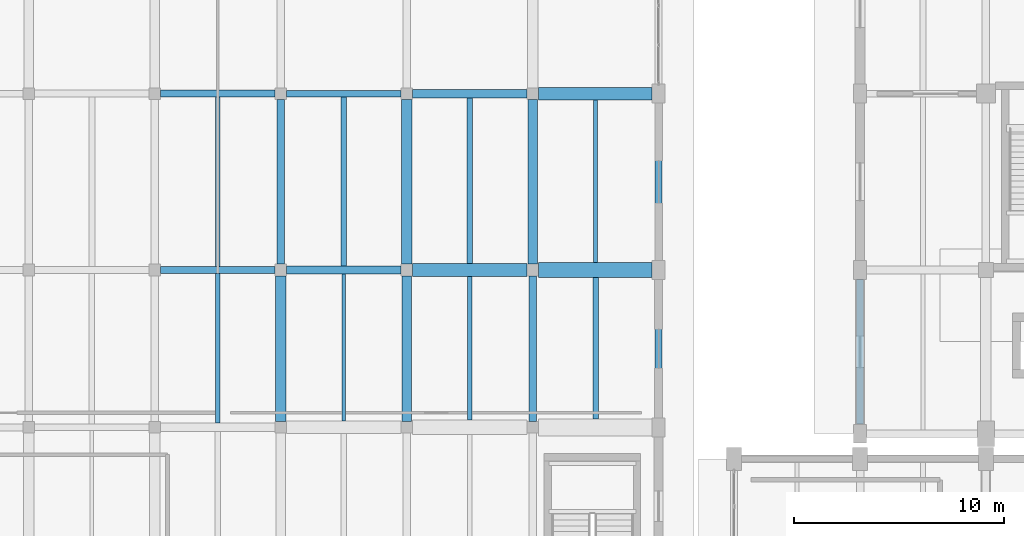
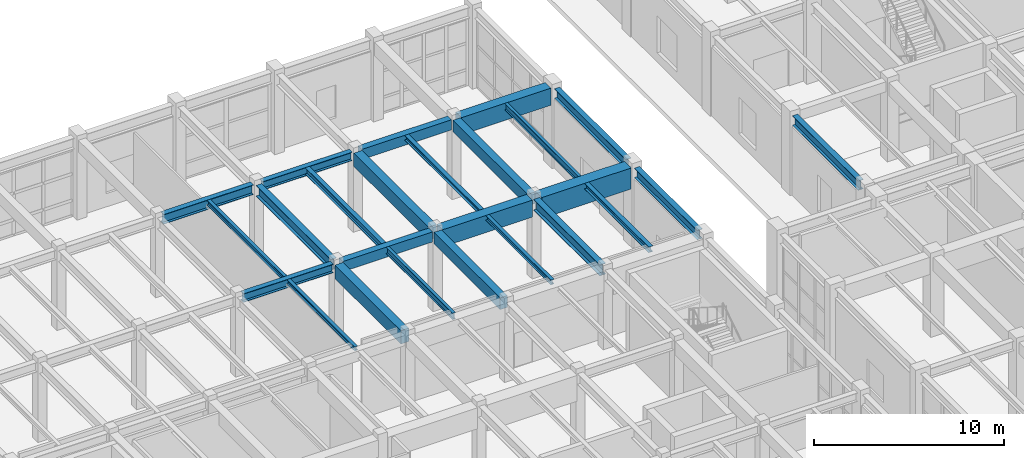
# One storey, part 37 of 91: 25 beams.
"""IFC4 building model written with IfcOpenShell, lengths in metres."""

from ifc_helpers import new_model, si_unit, direction, frame, origin, origin_2d, place, context, subcontext, project, spatial, rectangle, i_section, extrude, material, material_profile, profile_set, type_object, element, save


model = new_model("IFC4")

# Units and contexts
model_context = context("Model", 3, precision=1e-05, world=origin(), true_north=direction((0.0, 1.0)))
body_context = subcontext(model_context, "Body", "Model", "MODEL_VIEW")
ifc_project = project(units=[si_unit("LENGTHUNIT", "METRE"), si_unit("AREAUNIT", "SQUARE_METRE"), si_unit("VOLUMEUNIT", "CUBIC_METRE"), si_unit("PLANEANGLEUNIT", "RADIAN"), si_unit("MASSUNIT", "GRAM", prefix="KILO")], contexts=[model_context])

# Site, building, storey
site_placement = place(None, origin())
site = spatial("IfcSite", under=ifc_project, at=site_placement, CompositionType="ELEMENT")
building_placement = place(site_placement, origin())
building = spatial("IfcBuilding", under=site, at=building_placement, Name="Vaelkrest Opera House", CompositionType="ELEMENT")
storey_placement = place(building_placement, origin())
storey = spatial("IfcBuildingStorey", under=building, at=storey_placement, Name="L00", CompositionType="ELEMENT", Elevation=0.0)

# Beams
ifc_material_1 = material(Name="Concrete C50/60", Category="concrete")
ifc_material_profile_1 = material_profile(ifc_material_1, rectangle(XDim=0.39990234375, YDim=0.64990234375, at=origin_2d()), Name="RCB400X650")
ifc_profile_set_1 = profile_set([ifc_material_profile_1], Name="Concrete C50/60")
beam_type_1 = type_object("IfcBeamType", Name="B01", PredefinedType="BEAM", material=ifc_profile_set_1)
for number, where, z_axis, x_axis, name in (
    (1, (-51.324951171875, 25.199951171875, 4.7548828125), (1.0, 0.0, 0.0), (0.0, 1.0, 0.0), "Beam BM-V3-L00-1413"),
    (2, (-45.324951171875, 33.60009765625, 4.7548828125), (1.0, 0.0, 0.0), (0.0, 1.0, 0.0), "Beam BM-V3-L00-1421"),
):
    element("IfcBeam", number, at=place(storey_placement, frame(where, z_axis=z_axis, x_axis=x_axis)), inside=storey, type_object=beam_type_1, Name=name, PredefinedType="BEAM", context=body_context, shape_type="SweptSolid", body=[
        extrude(rectangle(XDim=0.39990234375, YDim=0.64990234375, at=origin_2d()), origin(), (0.0, 0.0, 1.0), 5.449951171875),
    ])
ifc_material_profile_2 = material_profile(ifc_material_1, rectangle(XDim=0.449951171875, YDim=0.75, at=origin_2d()), Name="RCB450X750")
ifc_profile_set_2 = profile_set([ifc_material_profile_2], Name="Concrete C50/60")
beam_type_2 = type_object("IfcBeamType", Name="B02", PredefinedType="BEAM", material=ifc_profile_set_2)
beam_1_placement = place(storey_placement, frame((-45.60009765625, 17.97509765625, 4.705078125), z_axis=(0.0, 1.0, 0.0), x_axis=(-1.0, 0.0, 0.0)))
element("IfcBeam", 3, at=beam_1_placement, inside=storey, type_object=beam_type_2, Name="Beam BM-V3-L00-1463", PredefinedType="BEAM", context=body_context, shape_type="SweptSolid", body=[
    extrude(rectangle(XDim=0.449951171875, YDim=0.75, at=origin_2d()), origin(), (0.0, 0.0, 1.0), 6.949951171875),
])
beam_2_placement = place(storey_placement, frame((-39.60009765625, 25.47509765625, 4.705078125), z_axis=(0.0, 1.0, 0.0), x_axis=(-1.0, 0.0, 0.0)))
element("IfcBeam", 4, at=beam_2_placement, inside=storey, type_object=beam_type_2, Name="Beam BM-V3-L00-1471", PredefinedType="BEAM", context=body_context, shape_type="SweptSolid", body=[
    extrude(rectangle(XDim=0.449951171875, YDim=0.75, at=origin_2d()), origin(), (0.0, 0.0, 1.0), 7.849853515625),
])
ifc_material_profile_3 = material_profile(ifc_material_1, rectangle(XDim=0.5, YDim=0.85009765625, at=origin_2d()), Name="RCB500X850")
ifc_profile_set_3 = profile_set([ifc_material_profile_3], Name="Concrete C50/60")
beam_type_3 = type_object("IfcBeamType", Name="B03", PredefinedType="BEAM", material=ifc_profile_set_3)
beam_3_placement = place(storey_placement, frame((-51.60009765625, 17.97509765625, 4.655029296875), z_axis=(0.0, 1.0, 0.0), x_axis=(-1.0, 0.0, 0.0)))
element("IfcBeam", 5, at=beam_3_placement, inside=storey, type_object=beam_type_3, Name="Beam BM-V3-L00-1456", PredefinedType="BEAM", context=body_context, shape_type="SweptSolid", body=[
    extrude(rectangle(XDim=0.5, YDim=0.85009765625, at=origin_2d()), origin(), (0.0, 0.0, 1.0), 6.949951171875),
])
beam_4_placement = place(storey_placement, frame((-45.60009765625, 25.47509765625, 4.655029296875), z_axis=(0.0, 1.0, 0.0), x_axis=(-1.0, 0.0, 0.0)))
element("IfcBeam", 6, at=beam_4_placement, inside=storey, type_object=beam_type_3, Name="Beam BM-V3-L00-1464", PredefinedType="BEAM", context=body_context, shape_type="SweptSolid", body=[
    extrude(rectangle(XDim=0.5, YDim=0.85009765625, at=origin_2d()), origin(), (0.0, 0.0, 1.0), 7.849853515625),
])
ifc_material_profile_4 = material_profile(ifc_material_1, rectangle(XDim=0.60009765625, YDim=1.10009765625, at=origin_2d()), Name="RCB600X1100")
ifc_profile_set_4 = profile_set([ifc_material_profile_4], Name="Concrete C50/60")
beam_type_4 = type_object("IfcBeamType", Name="B05", PredefinedType="BEAM", material=ifc_profile_set_4)
beam_5_placement = place(storey_placement, frame((-45.324951171875, 25.199951171875, 4.530029296875), z_axis=(1.0, 0.0, 0.0), x_axis=(0.0, 1.0, 0.0)))
element("IfcBeam", 7, at=beam_5_placement, inside=storey, type_object=beam_type_4, Name="Beam BM-V3-L00-1414", PredefinedType="BEAM", context=body_context, shape_type="SweptSolid", body=[
    extrude(rectangle(XDim=0.60009765625, YDim=1.10009765625, at=origin_2d()), origin(), (0.0, 0.0, 1.0), 5.449951171875),
])
beam_6_placement = place(storey_placement, frame((-39.324951171875, 33.60009765625, 4.530029296875), z_axis=(1.0, 0.0, 0.0), x_axis=(0.0, 1.0, 0.0)))
element("IfcBeam", 8, at=beam_6_placement, inside=storey, type_object=beam_type_4, Name="Beam BM-V3-L00-1422", PredefinedType="BEAM", context=body_context, shape_type="SweptSolid", body=[
    extrude(rectangle(XDim=0.60009765625, YDim=1.10009765625, at=origin_2d()), origin(), (0.0, 0.0, 1.0), 5.425048828125),
])
ifc_material_profile_5 = material_profile(ifc_material_1, rectangle(XDim=0.699951171875, YDim=1.35009765625, at=origin_2d()), Name="RCB700X1350")
ifc_profile_set_5 = profile_set([ifc_material_profile_5], Name="Concrete C50/60")
beam_type_5 = type_object("IfcBeamType", Name="B06", PredefinedType="BEAM", material=ifc_profile_set_5)
beam_7_placement = place(storey_placement, frame((-39.324951171875, 25.199951171875, 4.405029296875), z_axis=(1.0, 0.0, 0.0), x_axis=(0.0, 1.0, 0.0)))
element("IfcBeam", 9, at=beam_7_placement, inside=storey, type_object=beam_type_5, Name="Beam BM-V3-L00-1415", PredefinedType="BEAM", context=body_context, shape_type="SweptSolid", body=[
    extrude(rectangle(XDim=0.699951171875, YDim=1.35009765625, at=origin_2d()), origin(), (0.0, 0.0, 1.0), 5.425048828125),
])
ifc_material_2 = material(Name="Steel A992 Gr50", Category="steel")
ifc_material_profile_6 = material_profile(ifc_material_2, i_section(OverallWidth=0.35498046875, OverallDepth=0.695068359375, WebThickness=0.015380859375, FlangeThickness=0.02490234375, at=origin_2d()), Name="W27X146")
ifc_profile_set_6 = profile_set([ifc_material_profile_6], Name="Steel A992 Gr50")
beam_type_6 = type_object("IfcBeamType", Name="B10", PredefinedType="BEAM", material=ifc_profile_set_6)
beam_8_placement = place(storey_placement, frame((-51.60009765625, 25.47509765625, 4.732421875), z_axis=(0.0, 1.0, 0.0), x_axis=(-1.0, 0.0, 0.0)))
element("IfcBeam", 10, at=beam_8_placement, inside=storey, type_object=beam_type_6, Name="Beam BM-V3-L00-1457", PredefinedType="BEAM", context=body_context, shape_type="SweptSolid", body=[
    extrude(i_section(OverallWidth=0.35498046875, OverallDepth=0.695068359375, WebThickness=0.015380859375, FlangeThickness=0.02490234375, at=origin_2d()), origin(), (0.0, 0.0, 1.0), 7.849853515625),
])
ifc_material_profile_7 = material_profile(ifc_material_2, i_section(OverallWidth=0.35791015625, OverallDepth=0.7060546875, WebThickness=0.018310546875, FlangeThickness=0.0302734375, at=origin_2d()), Name="W27X178")
ifc_profile_set_7 = profile_set([ifc_material_profile_7], Name="Steel A992 Gr50")
beam_type_7 = type_object("IfcBeamType", Name="B14", PredefinedType="BEAM", material=ifc_profile_set_7)
beam_9_placement = place(storey_placement, frame((-39.60009765625, 17.97509765625, 4.72705078125), z_axis=(0.0, 1.0, 0.0), x_axis=(-1.0, 0.0, 0.0)))
element("IfcBeam", 11, at=beam_9_placement, inside=storey, type_object=beam_type_7, Name="Beam BM-V3-L00-1470", PredefinedType="BEAM", context=body_context, shape_type="SweptSolid", body=[
    extrude(i_section(OverallWidth=0.35791015625, OverallDepth=0.7060546875, WebThickness=0.018310546875, FlangeThickness=0.0302734375, at=origin_2d()), origin(), (0.0, 0.0, 1.0), 6.949951171875),
])
ifc_material_profile_8 = material_profile(ifc_material_2, i_section(OverallWidth=0.326904296875, OverallDepth=0.6220703125, WebThickness=0.015380859375, FlangeThickness=0.0244140625, at=origin_2d()), Name="W24X131")
ifc_profile_set_8 = profile_set([ifc_material_profile_8], Name="Steel A992 Gr50")
beam_type_8 = type_object("IfcBeamType", Name="B19", PredefinedType="BEAM", material=ifc_profile_set_8)
beam_10_placement = place(storey_placement, frame((-57.324951171875, 33.60009765625, 4.76904296875), z_axis=(1.0, 0.0, 0.0), x_axis=(0.0, 1.0, 0.0)))
element("IfcBeam", 12, at=beam_10_placement, inside=storey, type_object=beam_type_8, Name="Beam BM-V3-L00-1419", PredefinedType="BEAM", context=body_context, shape_type="SweptSolid", body=[
    extrude(i_section(OverallWidth=0.326904296875, OverallDepth=0.6220703125, WebThickness=0.015380859375, FlangeThickness=0.0244140625, at=origin_2d()), origin(), (0.0, 0.0, 1.0), 5.449951171875),
])
ifc_material_profile_9 = material_profile(ifc_material_2, i_section(OverallWidth=0.31494140625, OverallDepth=0.551025390625, WebThickness=0.01513671875, FlangeThickness=0.0244140625, at=origin_2d()), Name="W21X122")
ifc_profile_set_9 = profile_set([ifc_material_profile_9], Name="Steel A992 Gr50")
beam_type_9 = type_object("IfcBeamType", Name="B20", PredefinedType="BEAM", material=ifc_profile_set_9)
for number, where, z_axis, x_axis, name in (
    (13, (-57.324951171875, 25.199951171875, 4.804443359375), (1.0, 0.0, 0.0), (0.0, 1.0, 0.0), "Beam BM-V3-L00-1412"),
    (14, (-51.324951171875, 33.60009765625, 4.804443359375), (1.0, 0.0, 0.0), (0.0, 1.0, 0.0), "Beam BM-V3-L00-1420"),
):
    element("IfcBeam", number, at=place(storey_placement, frame(where, z_axis=z_axis, x_axis=x_axis)), inside=storey, type_object=beam_type_9, Name=name, PredefinedType="BEAM", context=body_context, shape_type="SweptSolid", body=[
        extrude(i_section(OverallWidth=0.31494140625, OverallDepth=0.551025390625, WebThickness=0.01513671875, FlangeThickness=0.0244140625, at=origin_2d()), origin(), (0.0, 0.0, 1.0), 5.449951171875),
    ])
ifc_material_profile_10 = material_profile(ifc_material_2, i_section(OverallWidth=0.2041015625, OverallDepth=0.257080078125, WebThickness=0.0087890625, FlangeThickness=0.015625, at=origin_2d()), Name="W10X45")
ifc_profile_set_10 = profile_set([ifc_material_profile_10], Name="Steel A992 Gr50")
beam_type_10 = type_object("IfcBeamType", Name="J01", PredefinedType="JOIST", material=ifc_profile_set_10)
beam_11_placement = place(storey_placement, frame((-54.60009765625, 17.89990234375, 4.951416015625), z_axis=(0.0, 1.0, 0.0), x_axis=(-1.0, 0.0, 0.0)))
element("IfcBeam", 15, at=beam_11_placement, inside=storey, type_object=beam_type_10, Name="Floor joist JST-V3-L00-1491", PredefinedType="JOIST", context=body_context, shape_type="SweptSolid", body=[
    extrude(i_section(OverallWidth=0.2041015625, OverallDepth=0.257080078125, WebThickness=0.0087890625, FlangeThickness=0.015625, at=origin_2d()), origin(), (0.0, 0.0, 1.0), 7.142578125),
])
ifc_material_profile_11 = material_profile(ifc_material_2, i_section(OverallWidth=0.202880859375, OverallDepth=0.302978515625, WebThickness=0.007568359375, FlangeThickness=0.01318359375, at=origin_2d()), Name="W12X40")
ifc_profile_set_11 = profile_set([ifc_material_profile_11], Name="Steel A992 Gr50")
beam_type_11 = type_object("IfcBeamType", Name="J02", PredefinedType="JOIST", material=ifc_profile_set_11)
beam_12_placement = place(storey_placement, frame((-54.60009765625, 25.357421875, 4.928466796875), z_axis=(0.0, 1.0, 0.0), x_axis=(-1.0, 0.0, 0.0)))
element("IfcBeam", 16, at=beam_12_placement, inside=storey, type_object=beam_type_11, Name="Floor joist JST-V3-L00-1492", PredefinedType="JOIST", context=body_context, shape_type="SweptSolid", body=[
    extrude(i_section(OverallWidth=0.202880859375, OverallDepth=0.302978515625, WebThickness=0.007568359375, FlangeThickness=0.01318359375, at=origin_2d()), origin(), (0.0, 0.0, 1.0), 8.0791015625),
])
beam_13_placement = place(storey_placement, frame((-42.60009765625, 18.050048828125, 4.928466796875), z_axis=(0.0, 1.0, 0.0), x_axis=(-1.0, 0.0, 0.0)))
element("IfcBeam", 17, at=beam_13_placement, inside=storey, type_object=beam_type_11, Name="Floor joist JST-V3-L00-1502", PredefinedType="JOIST", context=body_context, shape_type="SweptSolid", body=[
    extrude(i_section(OverallWidth=0.202880859375, OverallDepth=0.302978515625, WebThickness=0.007568359375, FlangeThickness=0.01318359375, at=origin_2d()), origin(), (0.0, 0.0, 1.0), 6.849853515625),
])
ifc_material_profile_12 = material_profile(ifc_material_2, i_section(OverallWidth=0.25390625, OverallDepth=0.305908203125, WebThickness=0.0087890625, FlangeThickness=0.0146484375, at=origin_2d()), Name="W12X53")
ifc_profile_set_12 = profile_set([ifc_material_profile_12], Name="Steel A992 Gr50")
beam_type_12 = type_object("IfcBeamType", Name="J03", PredefinedType="JOIST", material=ifc_profile_set_12)
beam_14_placement = place(storey_placement, frame((-42.60009765625, 25.5, 4.927001953125), z_axis=(0.0, 1.0, 0.0), x_axis=(-1.0, 0.0, 0.0)))
element("IfcBeam", 18, at=beam_14_placement, inside=storey, type_object=beam_type_12, Name="Floor joist JST-V3-L00-1503", PredefinedType="JOIST", context=body_context, shape_type="SweptSolid", body=[
    extrude(i_section(OverallWidth=0.25390625, OverallDepth=0.305908203125, WebThickness=0.0087890625, FlangeThickness=0.0146484375, at=origin_2d()), origin(), (0.0, 0.0, 1.0), 7.89990234375),
])
ifc_material_profile_13 = material_profile(ifc_material_2, i_section(OverallWidth=0.257080078125, OverallDepth=0.363037109375, WebThickness=0.012939453125, FlangeThickness=0.021728515625, at=origin_2d()), Name="W14X82")
ifc_profile_set_13 = profile_set([ifc_material_profile_13], Name="Steel A992 Gr50")
beam_type_13 = type_object("IfcBeamType", Name="J06", PredefinedType="JOIST", material=ifc_profile_set_13)
beam_15_placement = place(storey_placement, frame((-36.60009765625, 18.10009765625, 4.8984375), z_axis=(0.0, 1.0, 0.0), x_axis=(-1.0, 0.0, 0.0)))
element("IfcBeam", 19, at=beam_15_placement, inside=storey, type_object=beam_type_13, Name="Floor joist JST-V3-L00-1506", PredefinedType="JOIST", context=body_context, shape_type="SweptSolid", body=[
    extrude(i_section(OverallWidth=0.257080078125, OverallDepth=0.363037109375, WebThickness=0.012939453125, FlangeThickness=0.021728515625, at=origin_2d()), origin(), (0.0, 0.0, 1.0), 6.75),
])
ifc_material_profile_14 = material_profile(ifc_material_2, i_section(OverallWidth=0.180908203125, OverallDepth=0.4169921875, WebThickness=0.010986328125, FlangeThickness=0.018310546875, at=origin_2d()), Name="W16X57")
ifc_profile_set_14 = profile_set([ifc_material_profile_14], Name="Steel A992 Gr50")
beam_type_14 = type_object("IfcBeamType", Name="J07", PredefinedType="JOIST", material=ifc_profile_set_14)
beam_16_placement = place(storey_placement, frame((-48.60009765625, 18.0, 4.87158203125), z_axis=(0.0, 1.0, 0.0), x_axis=(-1.0, 0.0, 0.0)))
element("IfcBeam", 20, at=beam_16_placement, inside=storey, type_object=beam_type_14, Name="Floor joist JST-V3-L00-1497", PredefinedType="JOIST", context=body_context, shape_type="SweptSolid", body=[
    extrude(i_section(OverallWidth=0.180908203125, OverallDepth=0.4169921875, WebThickness=0.010986328125, FlangeThickness=0.018310546875, at=origin_2d()), origin(), (0.0, 0.0, 1.0), 7.0),
])
beam_17_placement = place(storey_placement, frame((-36.60009765625, 25.550048828125, 4.87158203125), z_axis=(0.0, 1.0, 0.0), x_axis=(-1.0, 0.0, 0.0)))
element("IfcBeam", 21, at=beam_17_placement, inside=storey, type_object=beam_type_14, Name="Floor joist JST-V3-L00-1507", PredefinedType="JOIST", context=body_context, shape_type="SweptSolid", body=[
    extrude(i_section(OverallWidth=0.180908203125, OverallDepth=0.4169921875, WebThickness=0.010986328125, FlangeThickness=0.018310546875, at=origin_2d()), origin(), (0.0, 0.0, 1.0), 7.75),
])
ifc_material_profile_15 = material_profile(ifc_material_2, i_section(OverallWidth=0.261962890625, OverallDepth=0.4189453125, WebThickness=0.01171875, FlangeThickness=0.019287109375, at=origin_2d()), Name="W16X77")
ifc_profile_set_15 = profile_set([ifc_material_profile_15], Name="Steel A992 Gr50")
beam_type_15 = type_object("IfcBeamType", Name="J08", PredefinedType="JOIST", material=ifc_profile_set_15)
beam_18_placement = place(storey_placement, frame((-48.60009765625, 25.39990234375, 4.87060546875), z_axis=(0.0, 1.0, 0.0), x_axis=(-1.0, 0.0, 0.0)))
element("IfcBeam", 22, at=beam_18_placement, inside=storey, type_object=beam_type_15, Name="Floor joist JST-V3-L00-1498", PredefinedType="JOIST", context=body_context, shape_type="SweptSolid", body=[
    extrude(i_section(OverallWidth=0.261962890625, OverallDepth=0.4189453125, WebThickness=0.01171875, FlangeThickness=0.019287109375, at=origin_2d()), origin(), (0.0, 0.0, 1.0), 8.04248046875),
])
ifc_material_profile_16 = material_profile(ifc_material_2, i_section(OverallWidth=0.323974609375, OverallDepth=0.611083984375, WebThickness=0.0126953125, FlangeThickness=0.01904296875, at=origin_2d()), Name="W24X104")
ifc_profile_set_16 = profile_set([ifc_material_profile_16], Name="Steel A992 Gr50")
beam_type_16 = type_object("IfcBeamType", Name="SP01", PredefinedType="SPANDREL", material=ifc_profile_set_16)
beam_19_placement = place(storey_placement, frame((-24.0, 17.85009765625, 4.7744140625), z_axis=(0.0, 1.0, 0.0), x_axis=(-1.0, 0.0, 0.0)))
element("IfcBeam", 23, at=beam_19_placement, inside=storey, type_object=beam_type_16, Name="Beam BM-V2-L00-0795", PredefinedType="SPANDREL", context=body_context, shape_type="SweptSolid", body=[
    extrude(i_section(OverallWidth=0.323974609375, OverallDepth=0.611083984375, WebThickness=0.0126953125, FlangeThickness=0.01904296875, at=origin_2d()), origin(), (0.0, 0.0, 1.0), 6.89990234375),
])
beam_20_placement = place(storey_placement, frame((-33.60009765625, 18.14990234375, 4.7744140625), z_axis=(0.0, 1.0, 0.0), x_axis=(-1.0, 0.0, 0.0)))
element("IfcBeam", 24, at=beam_20_placement, inside=storey, type_object=beam_type_16, Name="Beam BM-V3-L00-1477", PredefinedType="SPANDREL", context=body_context, shape_type="SweptSolid", body=[
    extrude(i_section(OverallWidth=0.323974609375, OverallDepth=0.611083984375, WebThickness=0.0126953125, FlangeThickness=0.01904296875, at=origin_2d()), origin(), (0.0, 0.0, 1.0), 6.60009765625),
])
beam_21_placement = place(storey_placement, frame((-33.60009765625, 25.64990234375, 4.7744140625), z_axis=(0.0, 1.0, 0.0), x_axis=(-1.0, 0.0, 0.0)))
element("IfcBeam", 25, at=beam_21_placement, inside=storey, type_object=beam_type_16, Name="Beam BM-V3-L00-1478", PredefinedType="SPANDREL", context=body_context, shape_type="SweptSolid", body=[
    extrude(i_section(OverallWidth=0.323974609375, OverallDepth=0.611083984375, WebThickness=0.0126953125, FlangeThickness=0.01904296875, at=origin_2d()), origin(), (0.0, 0.0, 1.0), 7.5),
])

save(model, "model.ifc")
